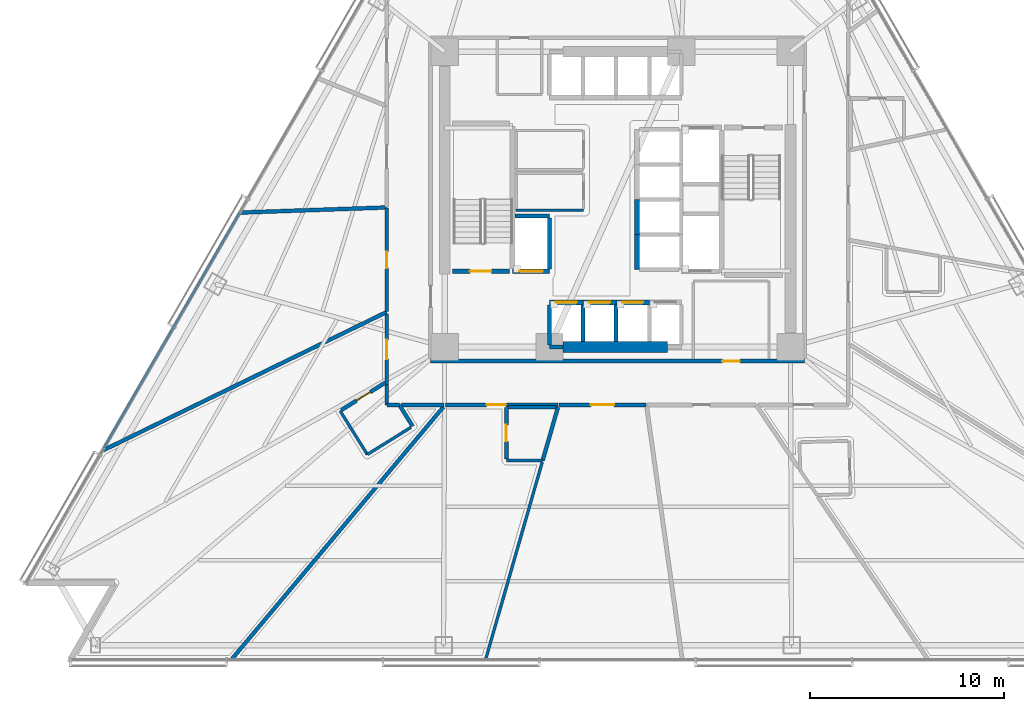
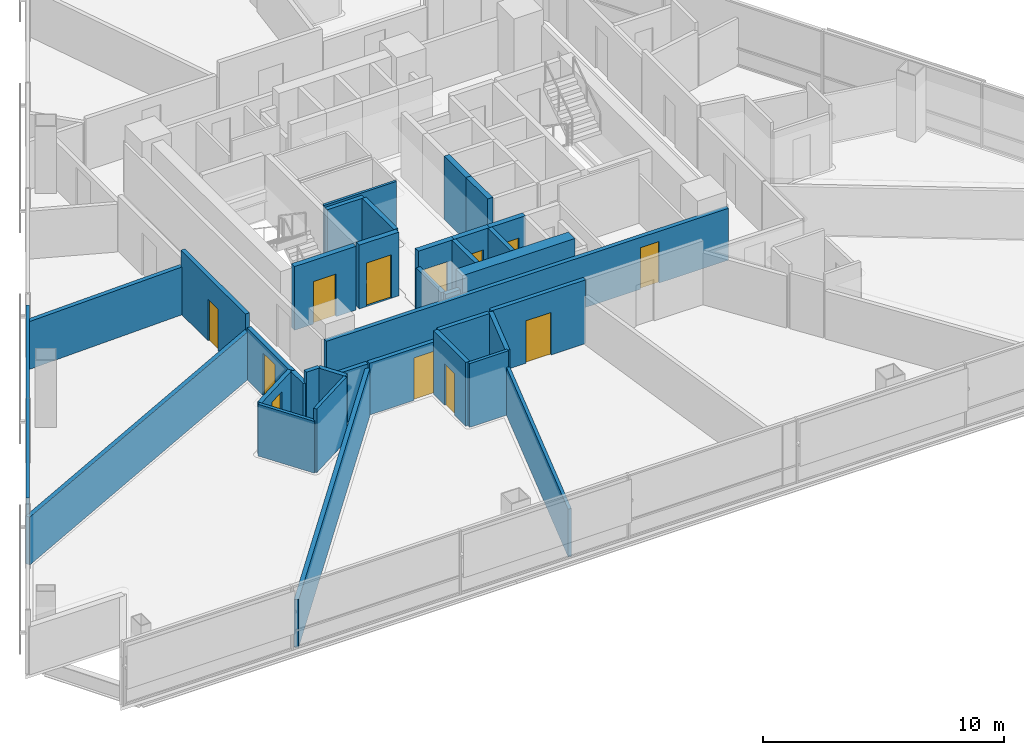
# One storey, part 7 of 17: 36 walls, 12 doors, 12 openings.
"""IFC4 building model written with IfcOpenShell, lengths in metres."""

from ifc_helpers import new_model, si_unit, direction, frame, frame_2d, origin, place, context, subcontext, project, spatial, rectangle, extrude, material, layer, layer_set, type_object, element, fill, save


model = new_model("IFC4")

# Units and contexts
model_context = context("Model", 3, precision=1e-05, world=origin(), true_north=direction((0.0, 1.0)))
body_context = subcontext(model_context, "Body", "Model", "MODEL_VIEW")
ifc_project = project(units=[si_unit("LENGTHUNIT", "METRE"), si_unit("AREAUNIT", "SQUARE_METRE"), si_unit("VOLUMEUNIT", "CUBIC_METRE"), si_unit("PLANEANGLEUNIT", "RADIAN"), si_unit("MASSUNIT", "GRAM", prefix="KILO")], contexts=[model_context])

# Site, building, storey
site_placement = place(None, origin())
site = spatial("IfcSite", under=ifc_project, at=site_placement, CompositionType="ELEMENT")
building_placement = place(site_placement, origin())
building = spatial("IfcBuilding", under=site, at=building_placement, Name="Tharavind Bronze Gate", CompositionType="ELEMENT")
storey_placement = place(building_placement, frame((0.0, 0.0, 35.25)))
storey = spatial("IfcBuildingStorey", under=building, at=storey_placement, Name="L07", CompositionType="ELEMENT", Elevation=35.25)

# Wall, opening, door
ifc_material_1 = material(Name="Aerated Concrete Block", Category="concrete")
ifc_layer_1 = layer(ifc_material_1, 0.199951171875)
ifc_layer_set_1 = layer_set([ifc_layer_1], Name="Aerated Concrete Block")
wall_type_1 = type_object("IfcWallType", Name="FIRE RATED PARTITION 200", PredefinedType="PARTITIONING", material=ifc_layer_set_1)
wall_1_placement = place(storey_placement, frame((-9.6201171875, -8.320068359375, 0.0), z_axis=(0.0, 0.0, 1.0), x_axis=(1.0, 0.0, 0.0)))
wall_1 = element("IfcWall", 1, at=wall_1_placement, inside=storey, type_object=wall_type_1, Name="L07 south core corridor wall", PredefinedType="PARTITIONING", context=body_context, shape_type="SweptSolid", body=[
    extrude(rectangle(XDim=19.240234375, YDim=0.199951171875, at=frame_2d((9.6201171875, 0.0))), origin(), (0.0, 0.0, 1.0), 2.6201171875),
])
opening_1_placement = place(wall_1_placement, frame((15.02001953125, 0.0, 0.0)))
opening_1 = element("IfcOpeningElement", 2, at=opening_1_placement, cuts=wall_1, Name="Opening ID07", PredefinedType="OPENING", context=body_context, shape_type="SweptSolid", body=[
    extrude(rectangle(XDim=0.89990234375, YDim=2.10009765625, at=frame_2d((0.449951171875, 1.050048828125))), frame((0.0, 0.11009765625, 0.0), z_axis=(0.0, -1.0, 0.0), x_axis=(1.0, 0.0, 0.0)), (0.0, 0.0, 1.0), 0.219951171875),
])
ifc_material_2 = material(Name="Galvanised Fire Steel", Category="steel")
door_type_1 = type_object("IfcDoorType", Name="PLANT AND RISER FIRE DOOR 900X2100", OperationType="SINGLE_SWING_LEFT", PredefinedType="DOOR", material=ifc_material_2)
door_1_placement = place(opening_1_placement, origin())
door_1 = element("IfcDoor", 3, at=door_1_placement, inside=storey, type_object=door_type_1, Name="L07 Telecom Metering Room fire door", OperationType="SINGLE_SWING_LEFT", OverallHeight=2.10009765625, OverallWidth=0.89990234375, PredefinedType="DOOR", context=body_context, shape_type="SweptSolid", body=[
    extrude(rectangle(XDim=0.89990234375, YDim=2.10009765625, at=frame_2d((0.449951171875, 1.050048828125))), frame((0.0, 0.02490234375, 0.0), z_axis=(0.0, -1.0, 0.0), x_axis=(1.0, 0.0, 0.0)), (0.0, 0.0, 1.0), 0.050048828125),
])
fill(opening_1, door_1)

# Walls
wall_2_placement = place(storey_placement, frame((-11.8798828125, -9.54248046875, 0.0), z_axis=(0.0, 0.0, 1.0), x_axis=(0.0, -1.0, 0.0)))
element("IfcWall", 4, at=wall_2_placement, inside=storey, type_object=wall_type_1, Name="L07 En-Suite Bathroom partition", PredefinedType="PARTITIONING", context=body_context, shape_type="SweptSolid", body=[
    extrude(rectangle(XDim=1.036865234375, YDim=0.199951171875, at=frame_2d((0.5185546875, 0.0))), origin(), (0.0, 0.0, 1.0), 2.6201171875),
])
wall_3_placement = place(storey_placement, frame((-11.87939453125, -10.580078125, 0.0), z_axis=(0.0, 0.0, 1.0), x_axis=(1.0, 0.0, 0.0)))
element("IfcWall", 5, at=wall_3_placement, inside=storey, type_object=wall_type_1, Name="L07 En-Suite Bathroom partition", PredefinedType="PARTITIONING", context=body_context, shape_type="SweptSolid", body=[
    extrude(rectangle(XDim=0.646240234375, YDim=0.199951171875, at=frame_2d((0.3232421875, 0.0))), origin(), (0.0, 0.0, 1.0), 3.22509765625),
])
wall_4_placement = place(storey_placement, frame((-11.233154296875, -10.580078125, 0.0), z_axis=(0.0, 0.0, 1.0), x_axis=(0.528981470097, -0.848633374487, 0.0)))
element("IfcWall", 6, at=wall_4_placement, inside=storey, type_object=wall_type_1, Name="L07 En-Suite Bathroom partition", PredefinedType="PARTITIONING", context=body_context, shape_type="SweptSolid", body=[
    extrude(rectangle(XDim=1.294677734375, YDim=0.199951171875, at=frame_2d((0.6474609375, 0.0))), origin(), (0.0, 0.0, 1.0), 3.22509765625),
])

# Wall, opening, door
wall_5_placement = place(storey_placement, frame((-14.216064453125, -10.84228515625, 0.0), z_axis=(0.0, 0.0, 1.0), x_axis=(0.848598757422, 0.529037001449, 0.0)))
wall_5 = element("IfcWall", 7, at=wall_5_placement, inside=storey, type_object=wall_type_1, Name="L07 En-Suite Bathroom partition", PredefinedType="PARTITIONING", context=body_context, shape_type="SweptSolid", body=[
    extrude(rectangle(XDim=2.670166015625, YDim=0.199951171875, at=frame_2d((1.3349609375, 0.0))), origin(), (0.0, 0.0, 1.0), 2.6201171875),
])
opening_2_placement = place(wall_5_placement, frame((0.909912109375, 0.0, 0.0)))
opening_2 = element("IfcOpeningElement", 8, at=opening_2_placement, cuts=wall_5, Name="Opening ID06", PredefinedType="OPENING", context=body_context, shape_type="SweptSolid", body=[
    extrude(rectangle(XDim=0.85009765625, YDim=2.10009765625, at=frame_2d((0.425048828125, 1.050048828125))), frame((0.0, 0.11009765625, 0.0), z_axis=(0.0, -1.0, 0.0), x_axis=(1.0, 0.0, 0.0)), (0.0, 0.0, 1.0), 0.219951171875),
])
ifc_material_3 = material(Name="Moisture-Resistant Timber", Category="wood")
door_type_2 = type_object("IfcDoorType", Name="BATHROOM PRIVACY DOOR 850X2100", OperationType="SINGLE_SWING_RIGHT", PredefinedType="DOOR", material=ifc_material_3)
door_2_placement = place(opening_2_placement, origin())
door_2 = element("IfcDoor", 9, at=door_2_placement, inside=storey, type_object=door_type_2, Name="L07 En-Suite Bathroom door", OperationType="SINGLE_SWING_RIGHT", OverallHeight=2.10009765625, OverallWidth=0.85009765625, PredefinedType="DOOR", context=body_context, shape_type="SweptSolid", body=[
    extrude(rectangle(XDim=0.85009765625, YDim=2.10009765625, at=frame_2d((0.425048828125, 1.050048828125))), frame((0.0, 0.02490234375, 0.0), z_axis=(0.0, -1.0, 0.0), x_axis=(1.0, 0.0, 0.0)), (0.0, 0.0, 1.0), 0.050048828125),
])
fill(opening_2, door_2)

# Wall
wall_6_placement = place(storey_placement, frame((-3.068115234375, -10.699951171875, 0.0), z_axis=(0.0, 0.0, 1.0), x_axis=(-0.275645239358, -0.961259435334, 0.0)))
element("IfcWall", 10, at=wall_6_placement, inside=storey, type_object=wall_type_1, Name="L07 En-Suite Bathroom partition", PredefinedType="PARTITIONING", context=body_context, shape_type="SweptSolid", body=[
    extrude(rectangle(XDim=2.86083984375, YDim=0.199951171875, at=frame_2d((1.430419921875, 0.0))), origin(), (0.0, 0.0, 1.0), 3.22509765625),
])

# Wall, opening, door
wall_7_placement = place(storey_placement, frame((-5.71826171875, -13.3701171875, 0.0), z_axis=(0.0, 0.0, 1.0), x_axis=(0.0, 1.0, 0.0)))
wall_7 = element("IfcWall", 11, at=wall_7_placement, inside=storey, type_object=wall_type_1, Name="L07 En-Suite Bathroom partition", PredefinedType="PARTITIONING", context=body_context, shape_type="SweptSolid", body=[
    extrude(rectangle(XDim=2.670166015625, YDim=0.199951171875, at=frame_2d((1.3349609375, 0.0))), origin(), (0.0, 0.0, 1.0), 3.22509765625),
])
opening_3_placement = place(wall_7_placement, frame((0.909912109375, 0.0, 0.0)))
opening_3 = element("IfcOpeningElement", 12, at=opening_3_placement, cuts=wall_7, Name="Opening ID06", PredefinedType="OPENING", context=body_context, shape_type="SweptSolid", body=[
    extrude(rectangle(XDim=0.85009765625, YDim=2.10009765625, at=frame_2d((0.425048828125, 1.050048828125))), frame((0.0, 0.11009765625, 0.0), z_axis=(0.0, -1.0, 0.0), x_axis=(1.0, 0.0, 0.0)), (0.0, 0.0, 1.0), 0.219951171875),
])
door_3_placement = place(opening_3_placement, origin())
door_3 = element("IfcDoor", 13, at=door_3_placement, inside=storey, type_object=door_type_2, Name="L07 En-Suite Bathroom door", OperationType="SINGLE_SWING_RIGHT", OverallHeight=2.10009765625, OverallWidth=0.85009765625, PredefinedType="DOOR", context=body_context, shape_type="SweptSolid", body=[
    extrude(rectangle(XDim=0.85009765625, YDim=2.10009765625, at=frame_2d((0.425048828125, 1.050048828125))), frame((0.0, 0.02490234375, 0.0), z_axis=(0.0, -1.0, 0.0), x_axis=(1.0, 0.0, 0.0)), (0.0, 0.0, 1.0), 0.050048828125),
])
fill(opening_3, door_3)

# Walls
wall_8_placement = place(storey_placement, frame((-5.61328125, -10.699951171875, 0.0), z_axis=(0.0, 0.0, 1.0), x_axis=(1.0, 0.0, 0.0)))
element("IfcWall", 14, at=wall_8_placement, inside=storey, type_object=wall_type_1, Name="L07 En-Suite Bathroom partition", PredefinedType="PARTITIONING", context=body_context, shape_type="SweptSolid", body=[
    extrude(rectangle(XDim=2.435791015625, YDim=0.199951171875, at=frame_2d((1.2177734375, 0.0))), origin(), (0.0, 0.0, 1.0), 3.22509765625),
])
wall_9_placement = place(storey_placement, frame((-19.430908203125, -0.678466796875, 0.0), z_axis=(0.0, 0.0, 1.0), x_axis=(0.999391197854, 0.034888875767, 0.0)))
element("IfcWall", 15, at=wall_9_placement, inside=storey, type_object=wall_type_1, Name="L07 Public Restrooms Block partition", PredefinedType="PARTITIONING", context=body_context, shape_type="SweptSolid", body=[
    extrude(rectangle(XDim=7.529541015625, YDim=0.199951171875, at=frame_2d((3.7646484375, 0.0))), origin(), (0.0, 0.0, 1.0), 2.419921875),
])

# Wall, opening, door
wall_10_placement = place(storey_placement, frame((-11.8798828125, -0.440673828125, 0.0), z_axis=(0.0, 0.0, 1.0), x_axis=(0.0, -1.0, 0.0)))
wall_10 = element("IfcWall", 16, at=wall_10_placement, inside=storey, type_object=wall_type_1, Name="L07 Public Restrooms Block partition", PredefinedType="PARTITIONING", context=body_context, shape_type="SweptSolid", body=[
    extrude(rectangle(XDim=5.337890625, YDim=0.199951171875, at=frame_2d((2.6689453125, 0.0))), origin(), (0.0, 0.0, 1.0), 3.22509765625),
])
opening_4_placement = place(wall_10_placement, frame((2.243896484375, 0.0, 0.0)))
opening_4 = element("IfcOpeningElement", 17, at=opening_4_placement, cuts=wall_10, Name="Opening ID06", PredefinedType="OPENING", context=body_context, shape_type="SweptSolid", body=[
    extrude(rectangle(XDim=0.85009765625, YDim=2.10009765625, at=frame_2d((0.425048828125, 1.050048828125))), frame((0.0, 0.11009765625, 0.0), z_axis=(0.0, -1.0, 0.0), x_axis=(1.0, 0.0, 0.0)), (0.0, 0.0, 1.0), 0.219951171875),
])
door_4_placement = place(opening_4_placement, origin())
door_4 = element("IfcDoor", 18, at=door_4_placement, inside=storey, type_object=door_type_2, Name="L07 Public Restrooms Block door", OperationType="SINGLE_SWING_RIGHT", OverallHeight=2.10009765625, OverallWidth=0.85009765625, PredefinedType="DOOR", context=body_context, shape_type="SweptSolid", body=[
    extrude(rectangle(XDim=0.85009765625, YDim=2.10009765625, at=frame_2d((0.425048828125, 1.050048828125))), frame((0.0, 0.02490234375, 0.0), z_axis=(0.0, -1.0, 0.0), x_axis=(1.0, 0.0, 0.0)), (0.0, 0.0, 1.0), 0.050048828125),
])
fill(opening_4, door_4)

# Wall
wall_11_placement = place(storey_placement, frame((-11.89404296875, -5.801025390625, 0.0), z_axis=(0.0, 0.0, 1.0), x_axis=(-0.898794397302, -0.438370427127, 0.0)))
element("IfcWall", 19, at=wall_11_placement, inside=storey, type_object=wall_type_1, Name="L07 Public Restrooms Block partition", PredefinedType="PARTITIONING", context=body_context, shape_type="SweptSolid", body=[
    extrude(rectangle(XDim=16.2734375, YDim=0.199951171875, at=frame_2d((8.13671875, 0.0))), origin(), (0.0, 0.0, 1.0), 2.419921875),
])

# Wall, opening, door
wall_12_placement = place(storey_placement, frame((-11.8798828125, -5.9111328125, 0.0), z_axis=(0.0, 0.0, 1.0), x_axis=(0.0, -1.0, 0.0)))
wall_12 = element("IfcWall", 20, at=wall_12_placement, inside=storey, type_object=wall_type_1, Name="L07 Deluxe Hotel Suite partition", PredefinedType="PARTITIONING", context=body_context, shape_type="SweptSolid", body=[
    extrude(rectangle(XDim=3.63134765625, YDim=0.199951171875, at=frame_2d((1.815673828125, 0.0))), origin(), (0.0, 0.0, 1.0), 2.6201171875),
])
opening_5_placement = place(wall_12_placement, frame((1.31591796875, 0.0, 0.0)))
opening_5 = element("IfcOpeningElement", 21, at=opening_5_placement, cuts=wall_12, Name="Opening ID03", PredefinedType="OPENING", context=body_context, shape_type="SweptSolid", body=[
    extrude(rectangle(XDim=1.0, YDim=2.14990234375, at=frame_2d((0.5, 1.074951171875))), frame((0.0, 0.11009765625, 0.0), z_axis=(0.0, -1.0, 0.0), x_axis=(1.0, 0.0, 0.0)), (0.0, 0.0, 1.0), 0.219951171875),
])
ifc_material_4 = material(Name="Solid Timber Veneer", Category="wood")
door_type_3 = type_object("IfcDoorType", Name="HOTEL SUITE ENTRANCE DOOR 1000X2150", OperationType="SINGLE_SWING_LEFT", PredefinedType="DOOR", material=ifc_material_4)
door_5_placement = place(opening_5_placement, origin())
door_5 = element("IfcDoor", 22, at=door_5_placement, inside=storey, type_object=door_type_3, Name="L07 Deluxe Hotel Suite door", OperationType="SINGLE_SWING_LEFT", OverallHeight=2.14990234375, OverallWidth=1.0, PredefinedType="DOOR", context=body_context, shape_type="SweptSolid", body=[
    extrude(rectangle(XDim=1.0, YDim=2.14990234375, at=frame_2d((0.5, 1.074951171875))), frame((0.0, 0.02490234375, 0.0), z_axis=(0.0, -1.0, 0.0), x_axis=(1.0, 0.0, 0.0)), (0.0, 0.0, 1.0), 0.050048828125),
])
fill(opening_5, door_5)

# Walls
wall_13_placement = place(storey_placement, frame((-11.109619140625, -10.580078125, 0.0), z_axis=(0.0, 0.0, 1.0), x_axis=(1.0, 0.0, 0.0)))
element("IfcWall", 23, at=wall_13_placement, inside=storey, type_object=wall_type_1, Name="L07 Deluxe Hotel Suite partition", PredefinedType="PARTITIONING", context=body_context, shape_type="SweptSolid", body=[
    extrude(rectangle(XDim=2.17822265625, YDim=0.199951171875, at=frame_2d((1.089111328125, 0.0))), origin(), (0.0, 0.0, 1.0), 2.6201171875),
])
wall_14_placement = place(storey_placement, frame((-8.9658203125, -10.68505859375, 0.0), z_axis=(0.0, 0.0, 1.0), x_axis=(-0.642784617016, -0.766046954258, 0.0)))
element("IfcWall", 24, at=wall_14_placement, inside=storey, type_object=wall_type_1, Name="L07 Deluxe Hotel Suite partition", PredefinedType="PARTITIONING", context=body_context, shape_type="SweptSolid", body=[
    extrude(rectangle(XDim=16.978271484375, YDim=0.199951171875, at=frame_2d((8.4892578125, 0.0))), origin(), (0.0, 0.0, 1.0), 2.419921875),
])

# Wall, opening, door
wall_15_placement = place(storey_placement, frame((-8.865966796875, -10.580078125, 0.0), z_axis=(0.0, 0.0, 1.0), x_axis=(1.0, 0.0, 0.0)))
wall_15 = element("IfcWall", 25, at=wall_15_placement, inside=storey, type_object=wall_type_1, Name="L07 Deluxe Hotel Suite partition", PredefinedType="PARTITIONING", context=body_context, shape_type="SweptSolid", body=[
    extrude(rectangle(XDim=5.799072265625, YDim=0.199951171875, at=frame_2d((2.8994140625, 0.0))), origin(), (0.0, 0.0, 1.0), 2.6201171875),
])
opening_6_placement = place(wall_15_placement, frame((2.1201171875, 0.0, 0.0)))
opening_6 = element("IfcOpeningElement", 26, at=opening_6_placement, cuts=wall_15, Name="Opening ID03", PredefinedType="OPENING", context=body_context, shape_type="SweptSolid", body=[
    extrude(rectangle(XDim=1.0, YDim=2.14990234375, at=frame_2d((0.5, 1.074951171875))), frame((0.0, 0.11009765625, 0.0), z_axis=(0.0, -1.0, 0.0), x_axis=(1.0, 0.0, 0.0)), (0.0, 0.0, 1.0), 0.219951171875),
])
door_6_placement = place(opening_6_placement, origin())
door_6 = element("IfcDoor", 27, at=door_6_placement, inside=storey, type_object=door_type_3, Name="L07 Deluxe Hotel Suite door", OperationType="SINGLE_SWING_LEFT", OverallHeight=2.14990234375, OverallWidth=1.0, PredefinedType="DOOR", context=body_context, shape_type="SweptSolid", body=[
    extrude(rectangle(XDim=1.0, YDim=2.14990234375, at=frame_2d((0.5, 1.074951171875))), frame((0.0, 0.02490234375, 0.0), z_axis=(0.0, -1.0, 0.0), x_axis=(1.0, 0.0, 0.0)), (0.0, 0.0, 1.0), 0.050048828125),
])
fill(opening_6, door_6)

wall_16_placement = place(storey_placement, frame((-3.014892578125, -10.580078125, 0.0), z_axis=(0.0, 0.0, 1.0), x_axis=(1.0, 0.0, 0.0)))
wall_16 = element("IfcWall", 28, at=wall_16_placement, inside=storey, type_object=wall_type_1, Name="L07 Hotel Guest Lounge partition", PredefinedType="PARTITIONING", context=body_context, shape_type="SweptSolid", body=[
    extrude(rectangle(XDim=4.47998046875, YDim=0.199951171875, at=frame_2d((2.239990234375, 0.0))), origin(), (0.0, 0.0, 1.0), 3.22509765625),
])
opening_7_placement = place(wall_16_placement, frame((1.639892578125, 0.0, 0.0)))
opening_7 = element("IfcOpeningElement", 29, at=opening_7_placement, cuts=wall_16, Name="Opening ID05", PredefinedType="OPENING", context=body_context, shape_type="SweptSolid", body=[
    extrude(rectangle(XDim=1.199951171875, YDim=2.14990234375, at=frame_2d((0.60009765625, 1.074951171875))), frame((0.0, 0.11009765625, 0.0), z_axis=(0.0, -1.0, 0.0), x_axis=(1.0, 0.0, 0.0)), (0.0, 0.0, 1.0), 0.219951171875),
])
ifc_material_5 = material(Name="Acoustic Laminated Glass", Category="glass")
door_type_4 = type_object("IfcDoorType", Name="MEETING ROOM GLAZED DOOR 1200X2150", OperationType="SINGLE_SWING_LEFT", PredefinedType="DOOR", material=ifc_material_5)
door_7_placement = place(opening_7_placement, origin())
door_7 = element("IfcDoor", 30, at=door_7_placement, inside=storey, type_object=door_type_4, Name="L07 Hotel Guest Lounge door", OperationType="SINGLE_SWING_LEFT", OverallHeight=2.14990234375, OverallWidth=1.199951171875, PredefinedType="DOOR", context=body_context, shape_type="SweptSolid", body=[
    extrude(rectangle(XDim=1.199951171875, YDim=2.14990234375, at=frame_2d((0.60009765625, 1.074951171875))), frame((0.0, 0.02490234375, 0.0), z_axis=(0.0, -1.0, 0.0), x_axis=(1.0, 0.0, 0.0)), (0.0, 0.0, 1.0), 0.050048828125),
])
fill(opening_7, door_7)

# Walls
ifc_material_6 = material(Name="Metal Stud Gypsum Partition", Category="gypsum")
ifc_layer_2 = layer(ifc_material_6, 0.1201171875)
ifc_layer_set_2 = layer_set([ifc_layer_2], Name="Metal Stud Gypsum Partition")
wall_type_2 = type_object("IfcWallType", Name="INTERIOR PARTITION WALL 120", PredefinedType="PARTITIONING", material=ifc_layer_set_2)
wall_17_placement = place(storey_placement, frame((-5.219970703125, -0.550048828125, 0.0), z_axis=(0.0, 0.0, 1.0), x_axis=(1.0, 0.0, 0.0)))
element("IfcWall", 31, at=wall_17_placement, inside=storey, type_object=wall_type_2, Name="L07 Electrical Switch Room partition 1", PredefinedType="PARTITIONING", context=body_context, shape_type="SweptSolid", body=[
    extrude(rectangle(XDim=3.469970703125, YDim=0.1201171875, at=frame_2d((1.73486328125, 0.0))), origin(), (0.0, 0.0, 1.0), 3.22509765625),
])
ifc_material_7 = material(Name="Twin Stud Acoustic Gypsum", Category="gypsum")
ifc_layer_3 = layer(ifc_material_7, 0.14990234375)
ifc_layer_set_3 = layer_set([ifc_layer_3], Name="Twin Stud Acoustic Gypsum")
wall_type_3 = type_object("IfcWallType", Name="INTERIOR PARTITION WALL 150", PredefinedType="PARTITIONING", material=ifc_layer_set_3)
wall_18_placement = place(storey_placement, frame((-10.637451171875, -11.734130859375, 0.0), z_axis=(0.0, 0.0, 1.0), x_axis=(-0.848630335856, -0.528986344876, 0.0)))
element("IfcWall", 32, at=wall_18_placement, inside=storey, type_object=wall_type_3, Name="L07 En-Suite Bathroom partition", PredefinedType="PARTITIONING", context=body_context, shape_type="SweptSolid", body=[
    extrude(rectangle(XDim=2.64501953125, YDim=0.14990234375, at=frame_2d((1.322509765625, 0.0))), origin(), (0.0, 0.0, 1.0), 3.22509765625),
])
wall_19_placement = place(storey_placement, frame((-12.882080078125, -13.13330078125, 0.0), z_axis=(0.0, 0.0, 1.0), x_axis=(-0.529013096747, 0.848613659724, 0.0)))
element("IfcWall", 33, at=wall_19_placement, inside=storey, type_object=wall_type_3, Name="L07 En-Suite Bathroom partition", PredefinedType="PARTITIONING", context=body_context, shape_type="SweptSolid", body=[
    extrude(rectangle(XDim=2.64990234375, YDim=0.14990234375, at=frame_2d((1.324951171875, 0.0))), origin(), (0.0, 0.0, 1.0), 2.6201171875),
])
wall_20_placement = place(storey_placement, frame((-3.856689453125, -13.449951171875, 0.0), z_axis=(0.0, 0.0, 1.0), x_axis=(-1.0, 0.0, 0.0)))
element("IfcWall", 34, at=wall_20_placement, inside=storey, type_object=wall_type_3, Name="L07 En-Suite Bathroom partition", PredefinedType="PARTITIONING", context=body_context, shape_type="SweptSolid", body=[
    extrude(rectangle(XDim=1.861572265625, YDim=0.14990234375, at=frame_2d((0.9306640625, 0.0))), origin(), (0.0, 0.0, 1.0), 3.22509765625),
])
wall_21_placement = place(storey_placement, frame((-26.4267578125, -12.772216796875, 0.0), z_axis=(0.0, 0.0, 1.0), x_axis=(0.499997662712, 0.866026753214, 0.0)))
element("IfcWall", 35, at=wall_21_placement, inside=storey, type_object=wall_type_3, Name="L07 Public Restrooms Block partition", PredefinedType="PARTITIONING", context=body_context, shape_type="SweptSolid", body=[
    extrude(rectangle(XDim=13.9501953125, YDim=0.14990234375, at=frame_2d((6.97509765625, 0.0))), origin(), (0.0, 0.0, 1.0), 3.22509765625),
])
wall_22_placement = place(storey_placement, frame((-3.879638671875, -13.530029296875, 0.0), z_axis=(0.0, 0.0, 1.0), x_axis=(-0.275649176222, -0.961258306413, 0.0)))
element("IfcWall", 36, at=wall_22_placement, inside=storey, type_object=wall_type_3, Name="L07 Deluxe Hotel Suite partition", PredefinedType="PARTITIONING", context=body_context, shape_type="SweptSolid", body=[
    extrude(rectangle(XDim=10.56103515625, YDim=0.14990234375, at=frame_2d((5.280517578125, 0.0))), origin(), (0.0, 0.0, 1.0), 2.419921875),
])

# Wall, opening, door
ifc_material_8 = material(Name="Concrete C50/60", Category="concrete")
ifc_layer_4 = layer(ifc_material_8, 0.25)
ifc_layer_set_4 = layer_set([ifc_layer_4], Name="Concrete C50/60")
wall_type_4 = type_object("IfcWallType", Name="RC CORE SHEAR WALL 250", PredefinedType="SHEAR", material=ifc_layer_set_4)
wall_23_placement = place(storey_placement, frame((-8.5, -3.699951171875, 0.0), z_axis=(0.0, 0.0, 1.0), x_axis=(1.0, 0.0, 0.0)))
wall_23 = element("IfcWall", 37, at=wall_23_placement, inside=storey, type_object=wall_type_4, Name="L07 ST1 shaft south wall", PredefinedType="SHEAR", context=body_context, shape_type="SweptSolid", body=[
    extrude(rectangle(XDim=2.949951171875, YDim=0.25, at=frame_2d((1.47509765625, 0.0))), origin(), (0.0, 0.0, 1.0), 3.22509765625),
])
opening_8_placement = place(wall_23_placement, frame((0.89990234375, 0.0, 0.0)))
opening_8 = element("IfcOpeningElement", 38, at=opening_8_placement, cuts=wall_23, Name="Opening ID01", PredefinedType="OPENING", context=body_context, shape_type="SweptSolid", body=[
    extrude(rectangle(XDim=1.10009765625, YDim=2.14990234375, at=frame_2d((0.550048828125, 1.074951171875))), frame((0.0, 0.135, 0.0), z_axis=(0.0, -1.0, 0.0), x_axis=(1.0, 0.0, 0.0)), (0.0, 0.0, 1.0), 0.27),
])
ifc_material_9 = material(Name="Fire-Rated Steel", Category="steel")
door_type_5 = type_object("IfcDoorType", Name="STAIR CORE FIRE DOOR 1100X2150", OperationType="SINGLE_SWING_LEFT", PredefinedType="DOOR", material=ifc_material_9)
door_8_placement = place(opening_8_placement, origin())
door_8 = element("IfcDoor", 39, at=door_8_placement, inside=storey, type_object=door_type_5, Name="L07 exit stair ST1 fire door", OperationType="SINGLE_SWING_LEFT", OverallHeight=2.14990234375, OverallWidth=1.10009765625, PredefinedType="DOOR", context=body_context, shape_type="SweptSolid", body=[
    extrude(rectangle(XDim=1.10009765625, YDim=2.14990234375, at=frame_2d((0.550048828125, 1.074951171875))), frame((0.0, 0.02490234375, 0.0), z_axis=(0.0, -1.0, 0.0), x_axis=(1.0, 0.0, 0.0)), (0.0, 0.0, 1.0), 0.050048828125),
])
fill(opening_8, door_8)

wall_24_placement = place(storey_placement, frame((-3.5, -5.300048828125, 0.0), z_axis=(0.0, 0.0, 1.0), x_axis=(1.0, 0.0, 0.0)))
wall_24 = element("IfcWall", 40, at=wall_24_placement, inside=storey, type_object=wall_type_4, Name="L07 lift PL1 shaft front wall", PredefinedType="SHEAR", context=body_context, shape_type="SweptSolid", body=[
    extrude(rectangle(XDim=1.71240234375, YDim=0.25, at=frame_2d((0.856201171875, 0.0))), origin(), (0.0, 0.0, 1.0), 3.22509765625),
])
opening_9_placement = place(wall_24_placement, frame((0.305908203125, 0.0, 0.0)))
opening_9 = element("IfcOpeningElement", 41, at=opening_9_placement, cuts=wall_24, Name="Opening LD01", PredefinedType="OPENING", context=body_context, shape_type="SweptSolid", body=[
    extrude(rectangle(XDim=1.10009765625, YDim=2.199951171875, at=frame_2d((0.550048828125, 1.10009765625))), frame((0.0, 0.135, 0.0), z_axis=(0.0, -1.0, 0.0), x_axis=(1.0, 0.0, 0.0)), (0.0, 0.0, 1.0), 0.27),
])
ifc_material_10 = material(Name="Brushed Bronze Stainless Steel", Category="steel")
door_type_6 = type_object("IfcDoorType", Name="LIFT LANDING SLIDING DOOR 1100X2200", OperationType="SLIDING_TO_LEFT", PredefinedType="DOOR", material=ifc_material_10)
door_9_placement = place(opening_9_placement, origin())
door_9 = element("IfcDoor", 42, at=door_9_placement, inside=storey, type_object=door_type_6, Name="L07 lift PL1 sliding landing door", OperationType="SLIDING_TO_LEFT", OverallHeight=2.199951171875, OverallWidth=1.10009765625, PredefinedType="DOOR", context=body_context, shape_type="SweptSolid", body=[
    extrude(rectangle(XDim=1.10009765625, YDim=2.199951171875, at=frame_2d((0.550048828125, 1.10009765625))), frame((0.0, 0.02490234375, 0.0), z_axis=(0.0, -1.0, 0.0), x_axis=(1.0, 0.0, 0.0)), (0.0, 0.0, 1.0), 0.050048828125),
])
fill(opening_9, door_9)

wall_25_placement = place(storey_placement, frame((-1.78759765625, -5.300048828125, 0.0), z_axis=(0.0, 0.0, 1.0), x_axis=(1.0, 0.0, 0.0)))
wall_25 = element("IfcWall", 43, at=wall_25_placement, inside=storey, type_object=wall_type_4, Name="L07 lift PL2 shaft front wall", PredefinedType="SHEAR", context=body_context, shape_type="SweptSolid", body=[
    extrude(rectangle(XDim=1.712646484375, YDim=0.25, at=frame_2d((0.8564453125, 0.0))), origin(), (0.0, 0.0, 1.0), 3.22509765625),
])
opening_10_placement = place(wall_25_placement, frame((0.305908203125, 0.0, 0.0)))
opening_10 = element("IfcOpeningElement", 44, at=opening_10_placement, cuts=wall_25, Name="Opening LD01", PredefinedType="OPENING", context=body_context, shape_type="SweptSolid", body=[
    extrude(rectangle(XDim=1.10009765625, YDim=2.199951171875, at=frame_2d((0.550048828125, 1.10009765625))), frame((0.0, 0.135, 0.0), z_axis=(0.0, -1.0, 0.0), x_axis=(1.0, 0.0, 0.0)), (0.0, 0.0, 1.0), 0.27),
])
door_10_placement = place(opening_10_placement, origin())
door_10 = element("IfcDoor", 45, at=door_10_placement, inside=storey, type_object=door_type_6, Name="L07 lift PL2 sliding landing door", OperationType="SLIDING_TO_LEFT", OverallHeight=2.199951171875, OverallWidth=1.10009765625, PredefinedType="DOOR", context=body_context, shape_type="SweptSolid", body=[
    extrude(rectangle(XDim=1.10009765625, YDim=2.199951171875, at=frame_2d((0.550048828125, 1.10009765625))), frame((0.0, 0.02490234375, 0.0), z_axis=(0.0, -1.0, 0.0), x_axis=(1.0, 0.0, 0.0)), (0.0, 0.0, 1.0), 0.050048828125),
])
fill(opening_10, door_10)

wall_26_placement = place(storey_placement, frame((-0.074951171875, -5.300048828125, 0.0), z_axis=(0.0, 0.0, 1.0), x_axis=(1.0, 0.0, 0.0)))
wall_26 = element("IfcWall", 46, at=wall_26_placement, inside=storey, type_object=wall_type_4, Name="L07 lift PL3 shaft front wall", PredefinedType="SHEAR", context=body_context, shape_type="SweptSolid", body=[
    extrude(rectangle(XDim=1.71240234375, YDim=0.25, at=frame_2d((0.856201171875, 0.0))), origin(), (0.0, 0.0, 1.0), 3.22509765625),
])
opening_11_placement = place(wall_26_placement, frame((0.305908203125, 0.0, 0.0)))
opening_11 = element("IfcOpeningElement", 47, at=opening_11_placement, cuts=wall_26, Name="Opening LD01", PredefinedType="OPENING", context=body_context, shape_type="SweptSolid", body=[
    extrude(rectangle(XDim=1.10009765625, YDim=2.199951171875, at=frame_2d((0.550048828125, 1.10009765625))), frame((0.0, 0.135, 0.0), z_axis=(0.0, -1.0, 0.0), x_axis=(1.0, 0.0, 0.0)), (0.0, 0.0, 1.0), 0.27),
])
door_11_placement = place(opening_11_placement, origin())
door_11 = element("IfcDoor", 48, at=door_11_placement, inside=storey, type_object=door_type_6, Name="L07 lift PL3 sliding landing door", OperationType="SLIDING_TO_LEFT", OverallHeight=2.199951171875, OverallWidth=1.10009765625, PredefinedType="DOOR", context=body_context, shape_type="SweptSolid", body=[
    extrude(rectangle(XDim=1.10009765625, YDim=2.199951171875, at=frame_2d((0.550048828125, 1.10009765625))), frame((0.0, 0.02490234375, 0.0), z_axis=(0.0, -1.0, 0.0), x_axis=(1.0, 0.0, 0.0)), (0.0, 0.0, 1.0), 0.050048828125),
])
fill(opening_11, door_11)

# Walls
for number, where, z_axis, x_axis, name in (
    (49, (1.0, -3.60009765625, 0.0), (0.0, 0.0, 1.0), (0.0, 1.0, 0.0), "L07 lift PL9 shaft front wall"),
    (50, (1.0, -1.800048828125, 0.0), (0.0, 0.0, 1.0), (0.0, 1.0, 0.0), "L07 lift PL10 shaft front wall"),
):
    element("IfcWall", number, at=place(storey_placement, frame(where, z_axis=z_axis, x_axis=x_axis)), inside=storey, type_object=wall_type_4, Name=name, PredefinedType="SHEAR", context=body_context, shape_type="SweptSolid", body=[
        extrude(rectangle(XDim=1.800048828125, YDim=0.25, at=frame_2d((0.89990234375, 0.0))), origin(), (0.0, 0.0, 1.0), 3.22509765625),
    ])

# Wall, opening, door
wall_27_placement = place(storey_placement, frame((-5.39990234375, -3.699951171875, 0.0), z_axis=(0.0, 0.0, 1.0), x_axis=(1.0, 0.0, 0.0)))
wall_27 = element("IfcWall", 51, at=wall_27_placement, inside=storey, type_object=wall_type_4, Name="L07 lift FFL1 shaft front wall", PredefinedType="SHEAR", context=body_context, shape_type="SweptSolid", body=[
    extrude(rectangle(XDim=1.89990234375, YDim=0.25, at=frame_2d((0.949951171875, 0.0))), origin(), (0.0, 0.0, 1.0), 3.22509765625),
])
opening_12_placement = place(wall_27_placement, frame((0.35009765625, 0.0, 0.0)))
opening_12 = element("IfcOpeningElement", 52, at=opening_12_placement, cuts=wall_27, Name="Opening LD02", PredefinedType="OPENING", context=body_context, shape_type="SweptSolid", body=[
    extrude(rectangle(XDim=1.199951171875, YDim=2.199951171875, at=frame_2d((0.60009765625, 1.10009765625))), frame((0.0, 0.135, 0.0), z_axis=(0.0, -1.0, 0.0), x_axis=(1.0, 0.0, 0.0)), (0.0, 0.0, 1.0), 0.27),
])
ifc_material_11 = material(Name="Brushed Stainless Steel", Category="steel")
door_type_7 = type_object("IfcDoorType", Name="FIREFIGHTING LIFT LANDING DOOR 1200X2200", OperationType="SLIDING_TO_RIGHT", PredefinedType="DOOR", material=ifc_material_11)
door_12_placement = place(opening_12_placement, origin())
door_12 = element("IfcDoor", 53, at=door_12_placement, inside=storey, type_object=door_type_7, Name="L07 lift FFL1 sliding landing door", OperationType="SLIDING_TO_RIGHT", OverallHeight=2.199951171875, OverallWidth=1.199951171875, PredefinedType="DOOR", context=body_context, shape_type="SweptSolid", body=[
    extrude(rectangle(XDim=1.199951171875, YDim=2.199951171875, at=frame_2d((0.60009765625, 1.10009765625))), frame((0.0, 0.02490234375, 0.0), z_axis=(0.0, -1.0, 0.0), x_axis=(1.0, 0.0, 0.0)), (0.0, 0.0, 1.0), 0.050048828125),
])
fill(opening_12, door_12)

# Walls
ifc_material_12 = material(Name="Concrete C60/75", Category="concrete")
ifc_layer_5 = layer(ifc_material_12, 0.550048828125)
ifc_layer_set_5 = layer_set([ifc_layer_5], Name="Concrete C60/75")
wall_type_5 = type_object("IfcWallType", Name="RC CORE SHEAR WALL 550", PredefinedType="SHEAR", material=ifc_layer_set_5)
wall_28_placement = place(storey_placement, frame((-2.800048828125, -7.60009765625, 0.0), z_axis=(0.0, 0.0, 1.0), x_axis=(1.0, 0.0, 0.0)))
element("IfcWall", 54, at=wall_28_placement, inside=storey, type_object=wall_type_5, Name="L07 south core shear wall", PredefinedType="SHEAR", context=body_context, shape_type="SweptSolid", body=[
    extrude(rectangle(XDim=5.380126953125, YDim=0.550048828125, at=frame_2d((2.68994140625, 0.0))), origin(), (0.0, 0.0, 1.0), 3.22509765625),
])
ifc_material_13 = material(Name="Concrete C40/50", Category="concrete")
ifc_layer_6 = layer(ifc_material_13, 0.199951171875)
ifc_layer_set_6 = layer_set([ifc_layer_6], Name="Concrete C40/50")
wall_type_6 = type_object("IfcWallType", Name="SHAFT ENCLOSURE WALL 200", PredefinedType="PARTITIONING", material=ifc_layer_set_6)
wall_29_placement = place(storey_placement, frame((-3.5, -7.60009765625, 0.0), z_axis=(0.0, 0.0, 1.0), x_axis=(1.0, 0.0, 0.0)))
element("IfcWall", 55, at=wall_29_placement, inside=storey, type_object=wall_type_6, Name="L07 lift PL1 shaft S enclosure wall", PredefinedType="PARTITIONING", context=body_context, shape_type="SweptSolid", body=[
    extrude(rectangle(XDim=0.699951171875, YDim=0.199951171875, at=frame_2d((0.35009765625, 0.0))), origin(), (0.0, 0.0, 1.0), 2.419921875),
])
wall_30_placement = place(storey_placement, frame((-3.5, -7.4951171875, 0.0), z_axis=(0.0, 0.0, 1.0), x_axis=(0.0, 1.0, 0.0)))
element("IfcWall", 56, at=wall_30_placement, inside=storey, type_object=wall_type_6, Name="L07 lift PL1 shaft W enclosure wall", PredefinedType="PARTITIONING", context=body_context, shape_type="SweptSolid", body=[
    extrude(rectangle(XDim=2.065185546875, YDim=0.199951171875, at=frame_2d((1.03271484375, 0.0))), origin(), (0.0, 0.0, 1.0), 2.419921875),
])
for number, where, z_axis, x_axis, name in (
    (57, (-1.78759765625, -7.320068359375, 0.0), (0.0, 0.0, 1.0), (0.0, 1.0, 0.0), "L07 lift PL1 shaft E enclosure wall"),
    (58, (-0.074951171875, -7.320068359375, 0.0), (0.0, 0.0, 1.0), (0.0, 1.0, 0.0), "L07 lift PL2 shaft E enclosure wall"),
):
    element("IfcWall", number, at=place(storey_placement, frame(where, z_axis=z_axis, x_axis=x_axis)), inside=storey, type_object=wall_type_6, Name=name, PredefinedType="PARTITIONING", context=body_context, shape_type="SweptSolid", body=[
        extrude(rectangle(XDim=1.89013671875, YDim=0.199951171875, at=frame_2d((0.945068359375, 0.0))), origin(), (0.0, 0.0, 1.0), 3.22509765625),
    ])
wall_31_placement = place(storey_placement, frame((-5.27001953125, -0.85009765625, 0.0), z_axis=(0.0, 0.0, 1.0), x_axis=(1.0, 0.0, 0.0)))
element("IfcWall", 59, at=wall_31_placement, inside=storey, type_object=wall_type_6, Name="L07 lift FFL1 shaft N enclosure wall", PredefinedType="PARTITIONING", context=body_context, shape_type="SweptSolid", body=[
    extrude(rectangle(XDim=1.77001953125, YDim=0.199951171875, at=frame_2d((0.885009765625, 0.0))), origin(), (0.0, 0.0, 1.0), 3.22509765625),
])
wall_32_placement = place(storey_placement, frame((-3.5, -3.570068359375, 0.0), z_axis=(0.0, 0.0, 1.0), x_axis=(0.0, 1.0, 0.0)))
element("IfcWall", 60, at=wall_32_placement, inside=storey, type_object=wall_type_6, Name="L07 lift FFL1 shaft E enclosure wall", PredefinedType="PARTITIONING", context=body_context, shape_type="SweptSolid", body=[
    extrude(rectangle(XDim=2.614990234375, YDim=0.199951171875, at=frame_2d((1.3076171875, 0.0))), origin(), (0.0, 0.0, 1.0), 3.22509765625),
])

save(model, "model.ifc")
